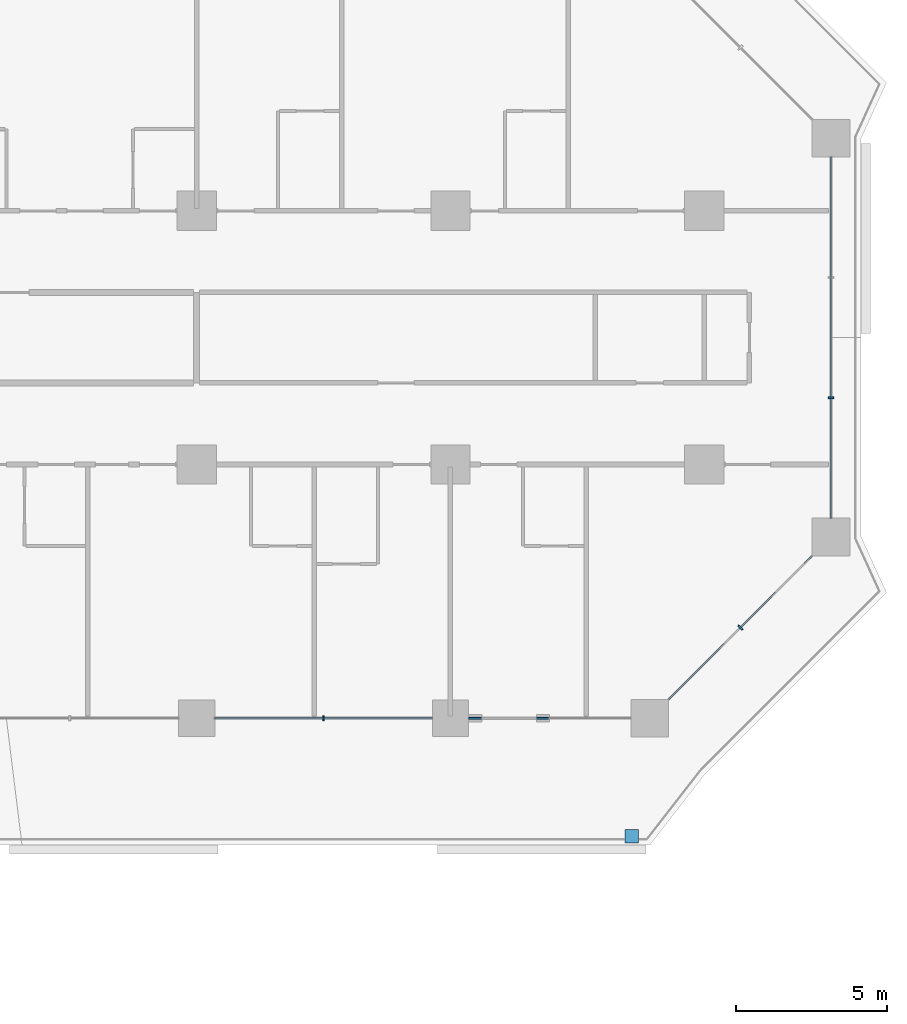
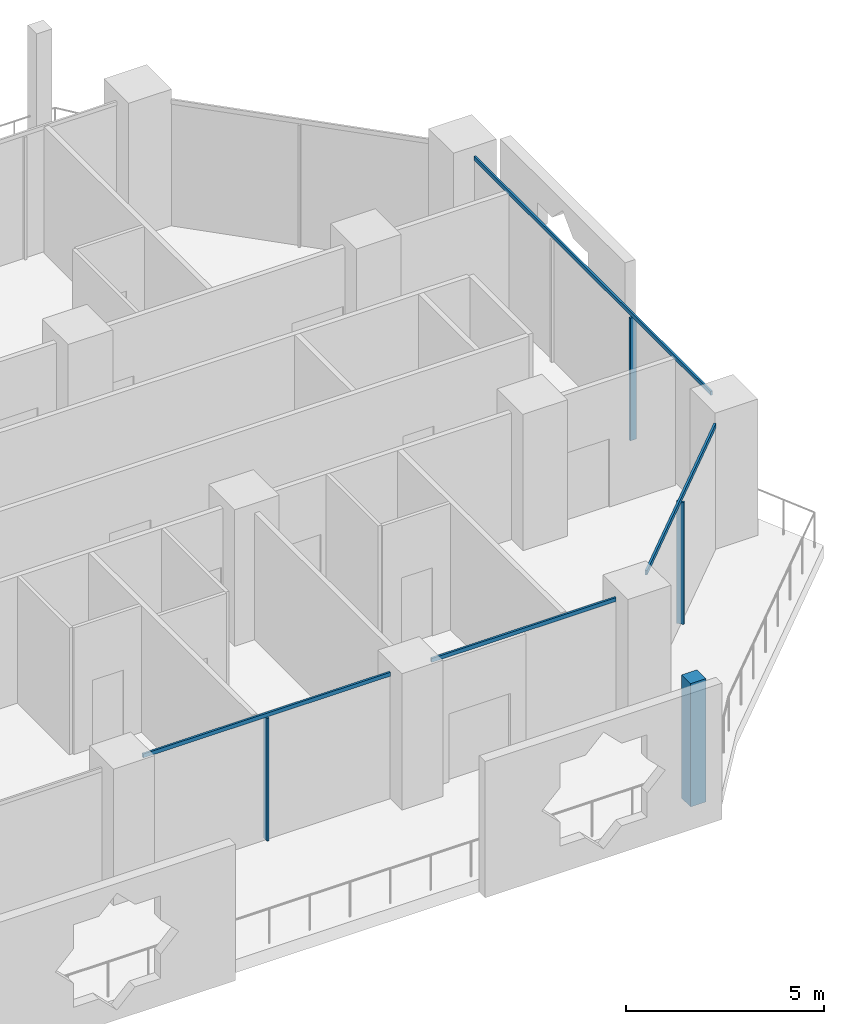
# One storey, part 7 of 26: 8 members, 4 elements without a shape of their own.
"""IFC4 building model written with IfcOpenShell, lengths in metres."""

from ifc_helpers import new_model, si_unit, direction, frame, origin, origin_2d, place, context, subcontext, project, spatial, rectangle, extrude, material, layer, layer_set, material_profile, profile_set, type_object, element, aggregate, save


model = new_model("IFC4")

# Units and contexts
model_context = context("Model", 3, precision=1e-05, world=origin(), true_north=direction((0.0, 1.0)))
body_context = subcontext(model_context, "Body", "Model", "MODEL_VIEW")
ifc_project = project(units=[si_unit("LENGTHUNIT", "METRE"), si_unit("AREAUNIT", "SQUARE_METRE"), si_unit("VOLUMEUNIT", "CUBIC_METRE"), si_unit("PLANEANGLEUNIT", "RADIAN"), si_unit("MASSUNIT", "GRAM", prefix="KILO")], contexts=[model_context])

# Site, building, storey
site_placement = place(None, origin())
site = spatial("IfcSite", under=ifc_project, at=site_placement, CompositionType="ELEMENT")
building_placement = place(site_placement, origin())
building = spatial("IfcBuilding", under=site, at=building_placement, Name="Kawkab Arch Medical Tower", CompositionType="ELEMENT")
storey_placement = place(building_placement, frame((0.0, 0.0, 51.800048828125)))
storey = spatial("IfcBuildingStorey", under=building, at=storey_placement, Name="L11", CompositionType="ELEMENT", Elevation=51.800048828125)

# Curtain wall, member
ifc_material_1 = material(Name="Bronze anodised aluminium curtain wall frame", Category="aluminium")
ifc_layer_1 = layer(ifc_material_1, 0.159912109375)
ifc_layer_set_1 = layer_set([ifc_layer_1], Name="Bronze anodised aluminium curtain wall frame")
curtain_wall_type_1 = type_object("IfcCurtainWallType", Name="CW1 ward curtain wall", PredefinedType="NOTDEFINED", material=ifc_layer_set_1)
placement = place(storey_placement, origin())
curtain_wall_1 = element("IfcCurtainWall", 1, at=placement, inside=storey, type_object=curtain_wall_type_1, Name="CW1 Ward curtain wall R07", PredefinedType="NOTDEFINED")
ifc_material_2 = material(Name="Bronze anodised aluminium curtain wall frame", Category="aluminium")
ifc_material_profile_1 = material_profile(ifc_material_2, rectangle(XDim=0.179931640625, YDim=0.06005859375, at=origin_2d()), Name="AL 60x180")
ifc_profile_set_1 = profile_set([ifc_material_profile_1], Name="Bronze anodised aluminium curtain wall frame")
member_type_1 = type_object("IfcMemberType", Name="CW1 mullion 60 x 180", PredefinedType="MULLION", material=ifc_profile_set_1)
member_1_placement = place(storey_placement, frame((63.0, -25.199951171875, 0.0), z_axis=(0.0, 0.0, 1.0), x_axis=(0.0, 1.0, 0.0)))
member_1 = element("IfcMember", 2, at=member_1_placement, type_object=member_type_1, Name="CW1 mullion 4.1", PredefinedType="MULLION", context=body_context, shape_type="SweptSolid", body=[
    extrude(rectangle(XDim=0.179931640625, YDim=0.06005859375, at=origin_2d()), origin(), (0.0, 0.0, 1.0), 3.780029296875),
])

curtain_wall_2 = element("IfcCurtainWall", 3, at=placement, inside=storey, type_object=curtain_wall_type_1, Name="CW1 Ward curtain wall R09", PredefinedType="NOTDEFINED")
member_2_placement = place(storey_placement, frame((79.800048828125, -14.591552734375, 0.0), z_axis=(0.0, 0.0, 1.0), x_axis=(-1.0, 0.0, 0.0)))
member_2 = element("IfcMember", 4, at=member_2_placement, type_object=member_type_1, Name="CW1 mullion 1.1", PredefinedType="MULLION", context=body_context, shape_type="SweptSolid", body=[
    extrude(rectangle(XDim=0.179931640625, YDim=0.06005859375, at=origin_2d()), origin(), (0.0, 0.0, 1.0), 3.780029296875),
])

# Member
ifc_material_3 = material(Name="Bronze anodised aluminium curtain wall frame", Category="aluminium")
ifc_material_profile_2 = material_profile(ifc_material_3, rectangle(XDim=0.06005859375, YDim=0.1201171875, at=origin_2d()), Name="AL 60x120")
ifc_profile_set_2 = profile_set([ifc_material_profile_2], Name="Bronze anodised aluminium curtain wall frame")
member_type_2 = type_object("IfcMemberType", Name="CW1 transom 120 x 60", PredefinedType="USERDEFINED", material=ifc_profile_set_2)
member_3_placement = place(storey_placement, frame((59.39990234375, -25.199951171875, 3.83984375), z_axis=(1.0, 0.0, 0.0), x_axis=(0.0, 1.0, 0.0)))
member_3 = element("IfcMember", 5, at=member_3_placement, type_object=member_type_2, Name="CW1 transom 4", ObjectType="TRANSOM", PredefinedType="USERDEFINED", context=body_context, shape_type="SweptSolid", body=[
    extrude(rectangle(XDim=0.06005859375, YDim=0.1201171875, at=origin_2d()), origin(), (0.0, 0.0, 1.0), 7.2001953125),
])

member_4_placement = place(storey_placement, frame((67.800048828125, -25.199951171875, 3.83984375), z_axis=(1.0, 0.0, 0.0), x_axis=(0.0, 1.0, 0.0)))
member_4 = element("IfcMember", 6, at=member_4_placement, type_object=member_type_2, Name="CW1 transom 5", ObjectType="TRANSOM", PredefinedType="USERDEFINED", context=body_context, shape_type="SweptSolid", body=[
    extrude(rectangle(XDim=0.06005859375, YDim=0.1201171875, at=origin_2d()), origin(), (0.0, 0.0, 1.0), 5.375),
])

aggregate(curtain_wall_1, [member_3, member_1, member_4])

member_5_placement = place(storey_placement, frame((79.800048828125, -18.574951171875, 3.83984375), z_axis=(0.0, 1.0, 0.0), x_axis=(-1.0, 0.0, 0.0)))
member_5 = element("IfcMember", 7, at=member_5_placement, type_object=member_type_2, Name="CW1 transom 1", ObjectType="TRANSOM", PredefinedType="USERDEFINED", context=body_context, shape_type="SweptSolid", body=[
    extrude(rectangle(XDim=0.06005859375, YDim=0.1201171875, at=origin_2d()), origin(), (0.0, 0.0, 1.0), 11.949951171875),
])

aggregate(curtain_wall_2, [member_5, member_2])

# Curtain wall, members
ifc_material_4 = material(Name="Bronze anodised aluminium curtain wall frame", Category="aluminium")
ifc_layer_2 = layer(ifc_material_4, 0.159912109375)
ifc_layer_set_2 = layer_set([ifc_layer_2], Name="Bronze anodised aluminium curtain wall frame")
curtain_wall_type_2 = type_object("IfcCurtainWallType", Name="CW2 chamfer curtain wall", PredefinedType="NOTDEFINED", material=ifc_layer_set_2)
curtain_wall_3 = element("IfcCurtainWall", 8, at=placement, inside=storey, type_object=curtain_wall_type_2, Name="CW2 Chamfer curtain wall R08", PredefinedType="NOTDEFINED")
ifc_material_5 = material(Name="Bronze anodised aluminium curtain wall frame", Category="aluminium")
ifc_material_profile_3 = material_profile(ifc_material_5, rectangle(XDim=0.199951171875, YDim=0.06005859375, at=origin_2d()), Name="AL 60x200")
ifc_profile_set_3 = profile_set([ifc_material_profile_3], Name="Bronze anodised aluminium curtain wall frame")
member_type_3 = type_object("IfcMemberType", Name="CW2 mullion 60 x 200", PredefinedType="MULLION", material=ifc_profile_set_3)
member_6_placement = place(storey_placement, frame((76.800048828125, -22.199951171875, 0.0), z_axis=(0.0, 0.0, 1.0), x_axis=(-0.707106781187, 0.707106781187, 0.0)))
member_6 = element("IfcMember", 9, at=member_6_placement, type_object=member_type_3, Name="CW2 mullion 1.1", PredefinedType="MULLION", context=body_context, shape_type="SweptSolid", body=[
    extrude(rectangle(XDim=0.199951171875, YDim=0.06005859375, at=origin_2d()), origin(), (0.0, 0.0, 1.0), 3.760009765625),
])
ifc_material_6 = material(Name="Bronze anodised aluminium curtain wall frame", Category="aluminium")
ifc_material_profile_4 = material_profile(ifc_material_6, rectangle(XDim=0.06005859375, YDim=0.139892578125, at=origin_2d()), Name="AL 60x140")
ifc_profile_set_4 = profile_set([ifc_material_profile_4], Name="Bronze anodised aluminium curtain wall frame")
member_type_4 = type_object("IfcMemberType", Name="CW2 transom 140 x 60", PredefinedType="USERDEFINED", material=ifc_profile_set_4)
member_7_placement = place(storey_placement, frame((74.425048828125, -24.574951171875, 3.829833984375), z_axis=(0.707106781187, 0.707106781187, 0.0), x_axis=(-0.707106781187, 0.707106781187, 0.0)))
member_7 = element("IfcMember", 10, at=member_7_placement, type_object=member_type_4, Name="CW2 transom 1", ObjectType="TRANSOM", PredefinedType="USERDEFINED", context=body_context, shape_type="SweptSolid", body=[
    extrude(rectangle(XDim=0.06005859375, YDim=0.139892578125, at=origin_2d()), origin(), (0.0, 0.0, 1.0), 6.717529296875),
])
aggregate(curtain_wall_3, [member_7, member_6])

# Curtain wall, member
ifc_material_7 = material(Name="Bronze anodised aluminium climber frame, planted", Category="aluminium")
ifc_layer_3 = layer(ifc_material_7, 0.449951171875)
ifc_layer_set_3 = layer_set([ifc_layer_3], Name="Bronze anodised aluminium climber frame, planted")
curtain_wall_type_3 = type_object("IfcCurtainWallType", Name="Planted climber frame", PredefinedType="NOTDEFINED", material=ifc_layer_set_3)
curtain_wall_4 = element("IfcCurtainWall", 11, at=placement, inside=storey, type_object=curtain_wall_type_3, Name="Planted climber frame L11", PredefinedType="NOTDEFINED")
ifc_material_8 = material(Name="Bronze anodised aluminium climber frame, planted", Category="aluminium")
ifc_material_profile_5 = material_profile(ifc_material_8, rectangle(XDim=0.449951171875, YDim=0.449951171875, at=origin_2d()), Name="Post 450x450")
ifc_profile_set_5 = profile_set([ifc_material_profile_5], Name="Bronze anodised aluminium climber frame, planted")
member_type_5 = type_object("IfcMemberType", Name="Planted climber post 450 x 450", PredefinedType="MULLION", material=ifc_profile_set_5)
member_8_placement = place(storey_placement, frame((73.202880859375, -29.10009765625, 0.0), z_axis=(0.0, 0.0, 1.0), x_axis=(1.0, 0.0, 0.0)))
member_8 = element("IfcMember", 12, at=member_8_placement, type_object=member_type_5, Name="Planted climber post L11.LOG-01-01.3", PredefinedType="MULLION", context=body_context, shape_type="SweptSolid", body=[
    extrude(rectangle(XDim=0.449951171875, YDim=0.449951171875, at=origin_2d()), origin(), (0.0, 0.0, 1.0), 3.800048828125),
])
aggregate(curtain_wall_4, [member_8])

save(model, "model.ifc")
